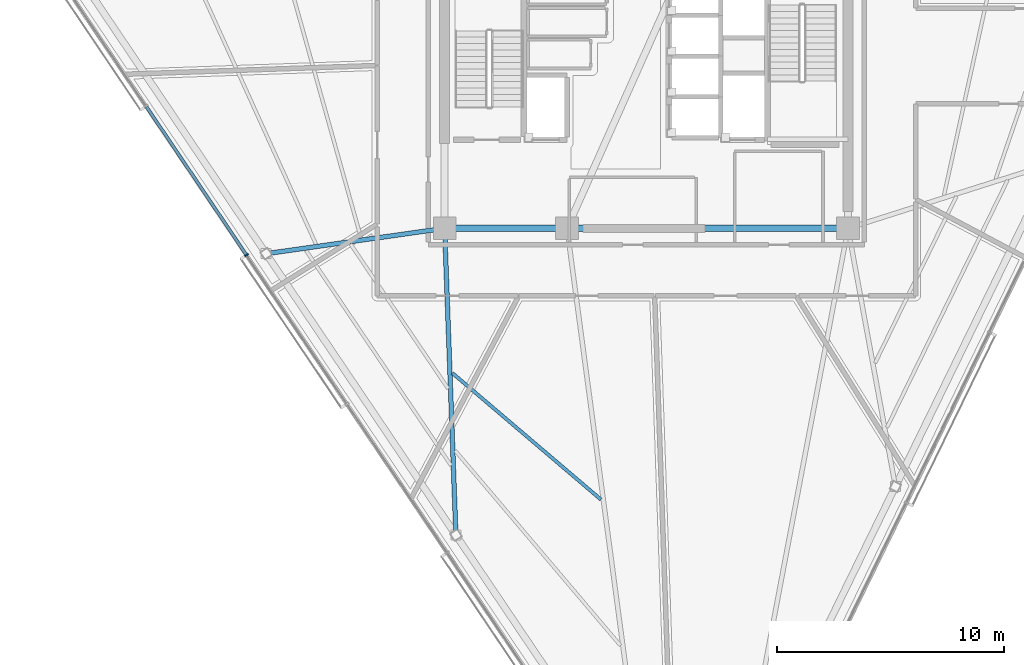
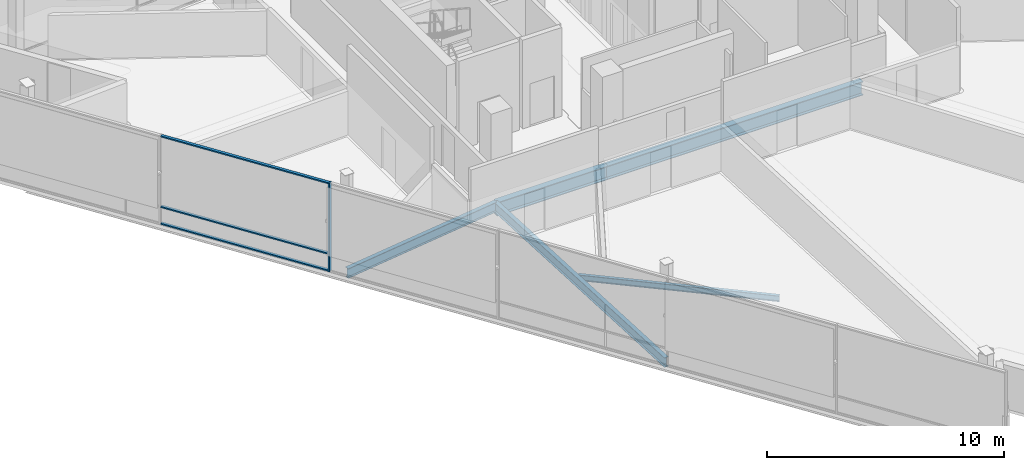
# One storey, part 3 of 16: 5 beams, 4 members, 1 element without a shape of its own.
"""IFC4 building model written with IfcOpenShell, lengths in metres."""

from ifc_helpers import new_model, si_unit, direction, frame, origin, origin_2d, place, context, subcontext, project, spatial, rectangle, i_section, extrude, material, layer, layer_set, material_profile, profile_set, type_object, element, aggregate, save


model = new_model("IFC4")

# Units and contexts
model_context = context("Model", 3, precision=1e-05, world=origin(), true_north=direction((0.0, 1.0)))
body_context = subcontext(model_context, "Body", "Model", "MODEL_VIEW")
ifc_project = project(units=[si_unit("LENGTHUNIT", "METRE"), si_unit("AREAUNIT", "SQUARE_METRE"), si_unit("VOLUMEUNIT", "CUBIC_METRE"), si_unit("PLANEANGLEUNIT", "RADIAN"), si_unit("MASSUNIT", "GRAM", prefix="KILO")], contexts=[model_context])

# Site, building, storey
site_placement = place(None, origin())
site = spatial("IfcSite", under=ifc_project, at=site_placement, CompositionType="ELEMENT")
building_placement = place(site_placement, origin())
building = spatial("IfcBuilding", under=site, at=building_placement, Name="Tharavind Bronze Gate", CompositionType="ELEMENT")
storey_placement = place(building_placement, frame((0.0, 0.0, 275.0)))
storey = spatial("IfcBuildingStorey", under=building, at=storey_placement, Name="L71", CompositionType="ELEMENT", Elevation=275.0)

# Curtain wall, members
ifc_material_1 = material(Name="Anodised Bronze Aluminium", Category="aluminium")
ifc_layer = layer(ifc_material_1, 0.219970703125)
ifc_layer_set = layer_set([ifc_layer], Name="Anodised Bronze Aluminium")
curtain_wall_type = type_object("IfcCurtainWallType", Name="UNITISED CURTAIN WALL UPPER OFFICE", PredefinedType="USERDEFINED", material=ifc_layer_set)
curtain_wall_placement = place(storey_placement, origin())
curtain_wall = element("IfcCurtainWall", 1, at=curtain_wall_placement, inside=storey, type_object=curtain_wall_type, Name="L71 unitised curtain wall upper office CW-L71-S1", ObjectType="UNITISED CURTAIN WALL", PredefinedType="USERDEFINED")
member_type_1 = type_object("IfcMemberType", Name="CURTAIN WALL BRONZE MULLION 65X180", PredefinedType="MULLION", material=ifc_material_1)
member_1_placement = place(storey_placement, frame((-17.639892578125, -8.7802734375, 0.0), z_axis=(0.0, 0.0, 1.0), x_axis=(0.559191456526, -0.82903854853, 0.0)))
member_1 = element("IfcMember", 2, at=member_1_placement, type_object=member_type_1, Name="CW-L71-S1 mullion 3", PredefinedType="MULLION", context=body_context, shape_type="SweptSolid", body=[
    extrude(rectangle(XDim=0.06494140625, YDim=0.179931640625, at=origin_2d()), origin(), (0.0, 0.0, 1.0), 4.56005859375),
])
member_type_2 = type_object("IfcMemberType", Name="CURTAIN WALL BRONZE TRANSOM 65X140", PredefinedType="USERDEFINED", material=ifc_material_1)
member_2_placement = place(storey_placement, frame((-19.8544921875, -5.497314453125, 0.0), z_axis=(0.0, 0.0, 1.0), x_axis=(0.559191456526, -0.82903854853, 0.0)))
member_2 = element("IfcMember", 3, at=member_2_placement, type_object=member_type_2, Name="CW-L71-S1 transom TB2", ObjectType="TRANSOM", PredefinedType="USERDEFINED", context=body_context, shape_type="SweptSolid", body=[
    extrude(rectangle(XDim=7.8671875, YDim=0.139892578125, at=origin_2d()), origin(), (0.0, 0.0, 1.0), 0.06494140625),
])
member_3_placement = place(storey_placement, frame((-19.8544921875, -5.497314453125, 0.867431640625), z_axis=(0.0, 0.0, 1.0), x_axis=(0.559191456526, -0.82903854853, 0.0)))
member_3 = element("IfcMember", 4, at=member_3_placement, type_object=member_type_2, Name="CW-L71-S1 transom TS2", ObjectType="TRANSOM", PredefinedType="USERDEFINED", context=body_context, shape_type="SweptSolid", body=[
    extrude(rectangle(XDim=7.8671875, YDim=0.139892578125, at=origin_2d()), origin(), (0.0, 0.0, 1.0), 0.06494140625),
])
member_4_placement = place(storey_placement, frame((-19.8544921875, -5.497314453125, 4.4951171875), z_axis=(0.0, 0.0, 1.0), x_axis=(0.559191456526, -0.82903854853, 0.0)))
member_4 = element("IfcMember", 5, at=member_4_placement, type_object=member_type_2, Name="CW-L71-S1 transom TT2", ObjectType="TRANSOM", PredefinedType="USERDEFINED", context=body_context, shape_type="SweptSolid", body=[
    extrude(rectangle(XDim=7.8671875, YDim=0.139892578125, at=origin_2d()), origin(), (0.0, 0.0, 1.0), 0.06494140625),
])
aggregate(curtain_wall, [member_1, member_2, member_3, member_4])

# Beams
ifc_material_2 = material(Name="Steel S355", Category="steel")
ifc_material_profile_1 = material_profile(ifc_material_2, i_section(OverallWidth=0.199951171875, OverallDepth=0.5, WebThickness=0.01025390625, FlangeThickness=0.01611328125, at=origin_2d()), Name="IPE500")
ifc_profile_set_1 = profile_set([ifc_material_profile_1], Name="Steel S355")
beam_type_1 = type_object("IfcBeamType", Name="PRIMARY GIRDER IPE500", PredefinedType="USERDEFINED", material=ifc_profile_set_1)
beam_1_placement = place(storey_placement, frame((-16.776123046875, -8.719970703125, -0.429931640625), z_axis=(0.99004257138, 0.14076827361, 0.0), x_axis=(-0.14076827361, 0.99004257138, 0.0)))
element("IfcBeam", 6, at=beam_1_placement, inside=storey, type_object=beam_type_1, Name="L71 primary girder ipe500 BM-L71-RAD02", ObjectType="GIRDER", PredefinedType="USERDEFINED", context=body_context, shape_type="SweptSolid", body=[
    extrude(i_section(OverallWidth=0.199951171875, OverallDepth=0.5, WebThickness=0.01025390625, FlangeThickness=0.01611328125, at=origin_2d()), origin(), (0.0, 0.0, 1.0), 7.955322265625),
])
beam_2_placement = place(storey_placement, frame((-8.40234375, -21.134521484375, -0.429931640625), z_axis=(-0.036737634404, 0.99932494526, 0.0), x_axis=(-0.99932494526, -0.036737634404, 0.0)))
element("IfcBeam", 7, at=beam_2_placement, inside=storey, type_object=beam_type_1, Name="L71 primary girder ipe500 BM-L71-RAD03", ObjectType="GIRDER", PredefinedType="USERDEFINED", context=body_context, shape_type="SweptSolid", body=[
    extrude(i_section(OverallWidth=0.199951171875, OverallDepth=0.5, WebThickness=0.01025390625, FlangeThickness=0.01611328125, at=origin_2d()), origin(), (0.0, 0.0, 1.0), 13.54345703125),
])
ifc_material_profile_2 = material_profile(ifc_material_2, i_section(OverallWidth=0.300048828125, OverallDepth=0.699951171875, WebThickness=0.01708984375, FlangeThickness=0.031982421875, at=origin_2d()), Name="HE700B")
ifc_profile_set_2 = profile_set([ifc_material_profile_2], Name="Steel S355")
beam_type_2 = type_object("IfcBeamType", Name="RING GIRDER HE700B", PredefinedType="USERDEFINED", material=ifc_profile_set_2)
beam_3_placement = place(storey_placement, frame((-8.89990234375, -7.60009765625, -0.530029296875), z_axis=(1.0, 0.0, 0.0), x_axis=(0.0, 1.0, 0.0)))
element("IfcBeam", 8, at=beam_3_placement, inside=storey, type_object=beam_type_2, Name="L71 ring girder he700b BM-L71-CR1", ObjectType="GIRDER", PredefinedType="USERDEFINED", context=body_context, shape_type="SweptSolid", body=[
    extrude(i_section(OverallWidth=0.300048828125, OverallDepth=0.699951171875, WebThickness=0.01708984375, FlangeThickness=0.031982421875, at=origin_2d()), origin(), (0.0, 0.0, 1.0), 5.39990234375),
])
beam_4_placement = place(storey_placement, frame((-3.5, -7.60009765625, -0.530029296875), z_axis=(1.0, 0.0, 0.0), x_axis=(0.0, 1.0, 0.0)))
element("IfcBeam", 9, at=beam_4_placement, inside=storey, type_object=beam_type_2, Name="L71 ring girder he700b BM-L71-CR2", ObjectType="GIRDER", PredefinedType="USERDEFINED", context=body_context, shape_type="SweptSolid", body=[
    extrude(i_section(OverallWidth=0.300048828125, OverallDepth=0.699951171875, WebThickness=0.01708984375, FlangeThickness=0.031982421875, at=origin_2d()), origin(), (0.0, 0.0, 1.0), 12.39990234375),
])
ifc_material_profile_3 = material_profile(ifc_material_2, i_section(OverallWidth=0.14990234375, OverallDepth=0.300048828125, WebThickness=0.007080078125, FlangeThickness=0.0107421875, at=origin_2d()), Name="IPE300")
ifc_profile_set_3 = profile_set([ifc_material_profile_3], Name="Steel S355")
beam_type_3 = type_object("IfcBeamType", Name="SECONDARY FLOOR JOIST IPE300", PredefinedType="JOIST", material=ifc_profile_set_3)
beam_5_placement = place(storey_placement, frame((-8.562255859375, -13.98388671875, -0.330078125), z_axis=(0.761516768495, -0.648145208499, 0.0), x_axis=(0.648145208499, 0.761516768495, 0.0)))
element("IfcBeam", 10, at=beam_5_placement, inside=storey, type_object=beam_type_3, Name="L71 secondary floor joist ipe300 BM-L71-JSTA03", PredefinedType="JOIST", context=body_context, shape_type="SweptSolid", body=[
    extrude(i_section(OverallWidth=0.14990234375, OverallDepth=0.300048828125, WebThickness=0.007080078125, FlangeThickness=0.0107421875, at=origin_2d()), origin(), (0.0, 0.0, 1.0), 8.61376953125),
])

save(model, "model.ifc")
